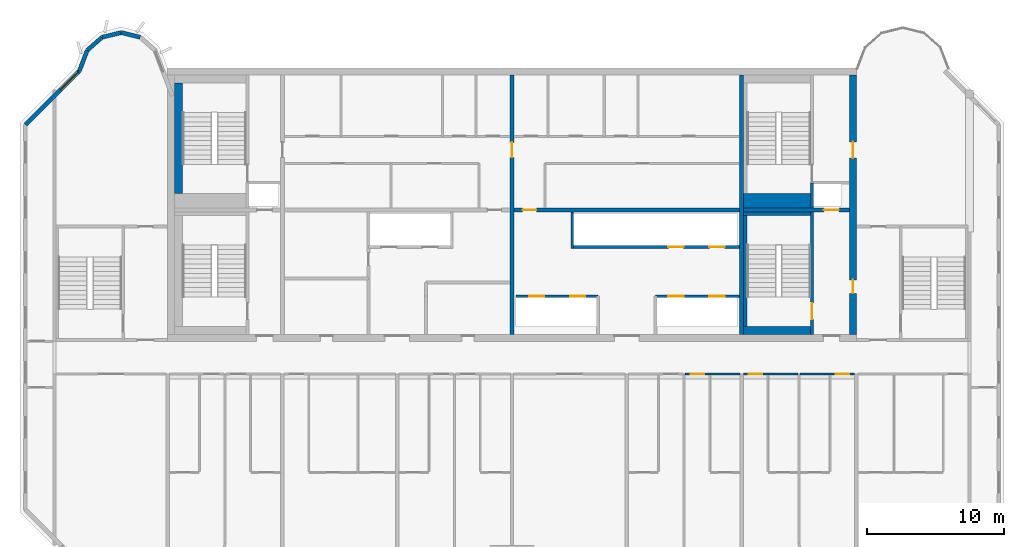
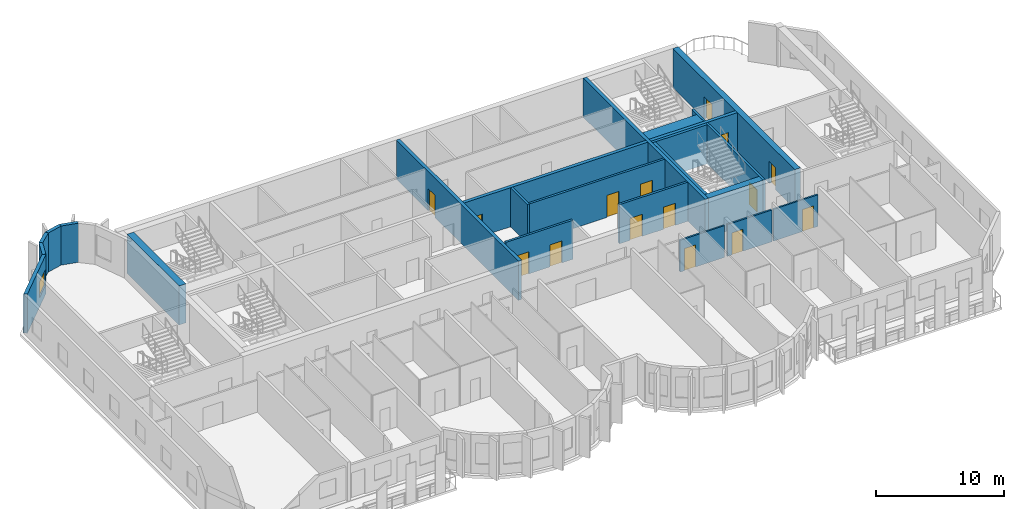
# One storey, part 6 of 11: 24 walls, 15 doors, 1 window, 16 openings.
"""IFC4 building model written with IfcOpenShell, lengths in metres."""

from ifc_helpers import new_model, si_unit, direction, frame, frame_2d, origin, place, context, subcontext, project, spatial, rectangle, extrude, source, transform, mapped, material, layer, layer_set, type_object, element, fill, save


model = new_model("IFC4")

# Units and contexts
model_context = context("Model", 3, precision=1e-05, world=origin(), true_north=direction((0.0, 1.0)))
body_context = subcontext(model_context, "Body", "Model", "MODEL_VIEW")
ifc_project = project(units=[si_unit("LENGTHUNIT", "METRE"), si_unit("AREAUNIT", "SQUARE_METRE"), si_unit("VOLUMEUNIT", "CUBIC_METRE"), si_unit("PLANEANGLEUNIT", "RADIAN"), si_unit("MASSUNIT", "GRAM", prefix="KILO")], contexts=[model_context])

# Site, building, storey
site_placement = place(None, origin())
site = spatial("IfcSite", under=ifc_project, at=site_placement, CompositionType="ELEMENT")
building_placement = place(site_placement, origin())
building = spatial("IfcBuilding", under=site, at=building_placement, Name="Vanashikhar Sky Hotel", CompositionType="ELEMENT")
storey_placement = place(building_placement, frame((0.0, 0.0, 305.699951171875)))
storey = spatial("IfcBuildingStorey", under=building, at=storey_placement, Name="L73", CompositionType="ELEMENT", Elevation=305.699951171875)

# Wall, openings, doors
ifc_material_1 = material(Name="Concrete M50", Category="concrete")
ifc_layer_1 = layer(ifc_material_1, 0.5)
ifc_layer_set_1 = layer_set([ifc_layer_1], Name="RC core shell wall 500 Concrete M50")
wall_type_1 = type_object("IfcWallType", Name="RC core shell wall 500 Concrete M50", PredefinedType="SHEAR", material=ifc_layer_set_1)
shared_shape_1 = source(origin(), body_context, "Body", "SweptSolid", [
    extrude(rectangle(XDim=19.0, YDim=0.5, at=frame_2d((9.5, 0.0))), origin(), (0.0, 0.0, 1.0), 3.719970703125),
])
wall_1_placement = place(storey_placement, frame((75.35009765625, 22.5, 0.0), z_axis=(0.0, 0.0, 1.0), x_axis=(0.0, 1.0, 0.0)))
wall_1 = element("IfcWall", 1, at=wall_1_placement, inside=storey, type_object=wall_type_1, Name="KW-L73-KE", PredefinedType="SHEAR", context=body_context, shape_type="MappedRepresentation", body=[
    mapped(shared_shape_1, transform((0.0, 0.0, 0.0), scale=1.0)),
])
shared_shape_2 = source(origin(), body_context, "Body", "SweptSolid", [
    extrude(rectangle(XDim=1.0, YDim=2.10009765625, at=frame_2d((0.5, 1.050048828125))), frame((0.0, 0.260009765625, 0.0), z_axis=(0.0, -1.0, 0.0), x_axis=(1.0, 0.0, 0.0)), (0.0, 0.0, 1.0), 0.52001953125),
])
opening_1_placement = place(wall_1_placement, frame((3.0, 0.0, 0.0)))
opening_1 = element("IfcOpeningElement", 2, at=opening_1_placement, cuts=wall_1, Name="Opening DC-5", PredefinedType="OPENING", context=body_context, shape_type="MappedRepresentation", body=[
    mapped(shared_shape_2, transform((0.0, 0.0, 0.0), scale=1.0)),
])
shared_shape_3 = source(origin(), body_context, "Body", "SweptSolid", [
    extrude(rectangle(XDim=1.199951171875, YDim=2.10009765625, at=frame_2d((0.60009765625, 1.050048828125))), frame((0.0, 0.260009765625, 0.0), z_axis=(0.0, -1.0, 0.0), x_axis=(1.0, 0.0, 0.0)), (0.0, 0.0, 1.0), 0.52001953125),
])
opening_2_placement = place(wall_1_placement, frame((12.89990234375, 0.0, 0.0)))
opening_2 = element("IfcOpeningElement", 3, at=opening_2_placement, cuts=wall_1, Name="Opening DC-4-D", PredefinedType="OPENING", context=body_context, shape_type="MappedRepresentation", body=[
    mapped(shared_shape_3, transform((0.0, 0.0, 0.0), scale=1.0)),
])
ifc_material_2 = material(Name="Steel", Category="steel")
door_type_1 = type_object("IfcDoorType", Name="Refuge door 1000 FD120", OperationType="NOTDEFINED", PredefinedType="DOOR", material=ifc_material_2)
shared_shape_4 = source(origin(), body_context, "Body", "SweptSolid", [
    extrude(rectangle(XDim=1.0, YDim=2.10009765625, at=frame_2d((0.5, 1.050048828125))), frame((0.0, 0.02490234375, 0.0), z_axis=(0.0, -1.0, 0.0), x_axis=(1.0, 0.0, 0.0)), (0.0, 0.0, 1.0), 0.050048828125),
])
door_1_placement = place(opening_1_placement, origin())
door_1 = element("IfcDoor", 4, at=door_1_placement, inside=storey, type_object=door_type_1, Name="Refuge door 1000 FD120", OperationType="SINGLE_SWING_RIGHT", OverallHeight=2.10009765625, OverallWidth=1.0, PredefinedType="DOOR", context=body_context, shape_type="MappedRepresentation", body=[
    mapped(shared_shape_4, transform((0.0, 0.0, 0.0), scale=1.0)),
])
fill(opening_1, door_1)
door_type_2 = type_object("IfcDoorType", Name="Service door 1200 FD120", OperationType="NOTDEFINED", PredefinedType="DOOR", material=ifc_material_2)
shared_shape_5 = source(origin(), body_context, "Body", "SweptSolid", [
    extrude(rectangle(XDim=1.199951171875, YDim=2.10009765625, at=frame_2d((0.60009765625, 1.050048828125))), frame((0.0, 0.02490234375, 0.0), z_axis=(0.0, -1.0, 0.0), x_axis=(1.0, 0.0, 0.0)), (0.0, 0.0, 1.0), 0.050048828125),
])
door_2_placement = place(opening_2_placement, origin())
door_2 = element("IfcDoor", 5, at=door_2_placement, inside=storey, type_object=door_type_2, Name="Service door 1200 FD120", OperationType="SINGLE_SWING_RIGHT", OverallHeight=2.10009765625, OverallWidth=1.199951171875, PredefinedType="DOOR", context=body_context, shape_type="MappedRepresentation", body=[
    mapped(shared_shape_5, transform((0.0, 0.0, 0.0), scale=1.0)),
])
fill(opening_2, door_2)

# Wall, opening, door
ifc_layer_2 = layer(ifc_material_1, 0.300048828125)
ifc_layer_set_2 = layer_set([ifc_layer_2], Name="RC core inner wall 300 Concrete M50")
wall_type_2 = type_object("IfcWallType", Name="RC core inner wall 300 Concrete M50", PredefinedType="SHEAR", material=ifc_layer_set_2)
shared_shape_6 = source(origin(), body_context, "Body", "SweptSolid", [
    extrude(rectangle(XDim=19.0, YDim=0.300048828125, at=frame_2d((9.5, 0.0))), origin(), (0.0, 0.0, 1.0), 3.719970703125),
])
wall_2_placement = place(storey_placement, frame((50.39990234375, 22.5, 0.0), z_axis=(0.0, 0.0, 1.0), x_axis=(0.0, 1.0, 0.0)))
wall_2 = element("IfcWall", 6, at=wall_2_placement, inside=storey, type_object=wall_type_2, Name="KW-L73-KX2", PredefinedType="SHEAR", context=body_context, shape_type="MappedRepresentation", body=[
    mapped(shared_shape_6, transform((0.0, 0.0, 0.0), scale=1.0)),
])
shared_shape_7 = source(origin(), body_context, "Body", "SweptSolid", [
    extrude(rectangle(XDim=1.10009765625, YDim=2.10009765625, at=frame_2d((0.550048828125, 1.050048828125))), frame((0.0, 0.16015625, 0.0), z_axis=(0.0, -1.0, 0.0), x_axis=(1.0, 0.0, 0.0)), (0.0, 0.0, 1.0), 0.320068359375),
])
opening_3_placement = place(wall_2_placement, frame((12.949951171875, 0.0, 0.0)))
opening_3 = element("IfcOpeningElement", 7, at=opening_3_placement, cuts=wall_2, Name="Opening DC-4-C", PredefinedType="OPENING", context=body_context, shape_type="MappedRepresentation", body=[
    mapped(shared_shape_7, transform((0.0, 0.0, 0.0), scale=1.0)),
])
door_type_3 = type_object("IfcDoorType", Name="Service door 1100 FD60", OperationType="NOTDEFINED", PredefinedType="DOOR", material=ifc_material_2)
shared_shape_8 = source(origin(), body_context, "Body", "SweptSolid", [
    extrude(rectangle(XDim=1.10009765625, YDim=2.10009765625, at=frame_2d((0.550048828125, 1.050048828125))), frame((0.0, 0.02490234375, 0.0), z_axis=(0.0, -1.0, 0.0), x_axis=(1.0, 0.0, 0.0)), (0.0, 0.0, 1.0), 0.050048828125),
])
door_3_placement = place(opening_3_placement, origin())
door_3 = element("IfcDoor", 8, at=door_3_placement, inside=storey, type_object=door_type_3, Name="Service door 1100 FD60", OperationType="SINGLE_SWING_RIGHT", OverallHeight=2.10009765625, OverallWidth=1.10009765625, PredefinedType="DOOR", context=body_context, shape_type="MappedRepresentation", body=[
    mapped(shared_shape_8, transform((0.0, 0.0, 0.0), scale=1.0)),
])
fill(opening_3, door_3)

# Wall
wall_3_placement = place(storey_placement, frame((67.199951171875, 22.5, 0.0), z_axis=(0.0, 0.0, 1.0), x_axis=(0.0, 1.0, 0.0)))
element("IfcWall", 9, at=wall_3_placement, inside=storey, type_object=wall_type_2, Name="KW-L73-KX3", PredefinedType="SHEAR", context=body_context, shape_type="MappedRepresentation", body=[
    mapped(shared_shape_6, transform((0.0, 0.0, 0.0), scale=1.0)),
])

# Wall, opening, door
shared_shape_9 = source(origin(), body_context, "Body", "SweptSolid", [
    extrude(rectangle(XDim=7.75, YDim=0.300048828125, at=frame_2d((3.875, 0.0))), origin(), (0.0, 0.0, 1.0), 3.719970703125),
])
wall_4_placement = place(storey_placement, frame((67.35009765625, 31.60009765625, 0.0), z_axis=(0.0, 0.0, 1.0), x_axis=(1.0, 0.0, 0.0)))
wall_4 = element("IfcWall", 10, at=wall_4_placement, inside=storey, type_object=wall_type_2, Name="KW-L73-KY4", PredefinedType="SHEAR", context=body_context, shape_type="MappedRepresentation", body=[
    mapped(shared_shape_9, transform((0.0, 0.0, 0.0), scale=1.0)),
])
opening_4_placement = place(wall_4_placement, frame((5.875, 0.0, 0.0)))
opening_4 = element("IfcOpeningElement", 11, at=opening_4_placement, cuts=wall_4, Name="Opening LD", PredefinedType="OPENING", context=body_context, shape_type="MappedRepresentation", body=[
    mapped(shared_shape_7, transform((0.0, 0.0, 0.0), scale=1.0)),
])
ifc_material_3 = material(Name="Stainless steel", Category="steel")
door_type_4 = type_object("IfcDoorType", Name="Lift landing door 1100", OperationType="NOTDEFINED", PredefinedType="DOOR", material=ifc_material_3)
door_4_placement = place(opening_4_placement, origin())
door_4 = element("IfcDoor", 12, at=door_4_placement, inside=storey, type_object=door_type_4, Name="Lift landing door 1100", OperationType="SLIDING_TO_LEFT", OverallHeight=2.10009765625, OverallWidth=1.10009765625, PredefinedType="DOOR", context=body_context, shape_type="MappedRepresentation", body=[
    mapped(shared_shape_8, transform((0.0, 0.0, 0.0), scale=1.0)),
])
fill(opening_4, door_4)

shared_shape_10 = source(origin(), body_context, "Body", "SweptSolid", [
    extrude(rectangle(XDim=16.5, YDim=0.300048828125, at=frame_2d((8.25, 0.0))), origin(), (0.0, 0.0, 1.0), 3.719970703125),
])
wall_5_placement = place(storey_placement, frame((50.550048828125, 31.60009765625, 0.0), z_axis=(0.0, 0.0, 1.0), x_axis=(1.0, 0.0, 0.0)))
wall_5 = element("IfcWall", 13, at=wall_5_placement, inside=storey, type_object=wall_type_2, Name="KW-L73-KY3", PredefinedType="SHEAR", context=body_context, shape_type="MappedRepresentation", body=[
    mapped(shared_shape_10, transform((0.0, 0.0, 0.0), scale=1.0)),
])
shared_shape_11 = source(origin(), body_context, "Body", "SweptSolid", [
    extrude(rectangle(XDim=1.0, YDim=2.10009765625, at=frame_2d((0.5, 1.050048828125))), frame((0.0, 0.16015625, 0.0), z_axis=(0.0, -1.0, 0.0), x_axis=(1.0, 0.0, 0.0)), (0.0, 0.0, 1.0), 0.320068359375),
])
opening_5_placement = place(wall_5_placement, frame((0.625, 0.0, 0.0)))
opening_5 = element("IfcOpeningElement", 14, at=opening_5_placement, cuts=wall_5, Name="Opening DC-4", PredefinedType="OPENING", context=body_context, shape_type="MappedRepresentation", body=[
    mapped(shared_shape_11, transform((0.0, 0.0, 0.0), scale=1.0)),
])
door_type_5 = type_object("IfcDoorType", Name="Service door 1000 FD60", OperationType="NOTDEFINED", PredefinedType="DOOR", material=ifc_material_2)
door_5_placement = place(opening_5_placement, origin())
door_5 = element("IfcDoor", 15, at=door_5_placement, inside=storey, type_object=door_type_5, Name="Service door 1000 FD60", OperationType="SINGLE_SWING_RIGHT", OverallHeight=2.10009765625, OverallWidth=1.0, PredefinedType="DOOR", context=body_context, shape_type="MappedRepresentation", body=[
    mapped(shared_shape_4, transform((0.0, 0.0, 0.0), scale=1.0)),
])
fill(opening_5, door_5)

# Wall, opening, window
ifc_layer_3 = layer(ifc_material_1, 0.300048828125)
ifc_layer_set_3 = layer_set([ifc_layer_3], Name="Lobe wall 300")
wall_type_3 = type_object("IfcWallType", Name="Lobe wall 300", PredefinedType="SOLIDWALL", material=ifc_layer_set_3)
shared_shape_12 = source(origin(), body_context, "Body", "SweptSolid", [
    extrude(rectangle(XDim=5.576416015625, YDim=0.300048828125, at=frame_2d((2.7880859375, 0.0))), origin(), (0.0, 0.0, 1.0), 3.719970703125),
])
wall_6_placement = place(storey_placement, frame((18.7431640625, 41.77734375, 0.0), z_axis=(0.0, 0.0, 1.0), x_axis=(-0.707106781187, -0.707106781187, 0.0)))
wall_6 = element("IfcWall", 16, at=wall_6_placement, inside=storey, type_object=wall_type_3, Name="Corner wall", PredefinedType="SOLIDWALL", context=body_context, shape_type="MappedRepresentation", body=[
    mapped(shared_shape_12, transform((0.0, 0.0, 0.0), scale=1.0)),
])
shared_shape_13 = source(origin(), body_context, "Body", "SweptSolid", [
    extrude(rectangle(XDim=1.800048828125, YDim=1.5, at=frame_2d((0.89990234375, 0.75))), frame((0.0, 0.16015625, 0.0), z_axis=(0.0, -1.0, 0.0), x_axis=(1.0, 0.0, 0.0)), (0.0, 0.0, 1.0), 0.320068359375),
])
opening_6_placement = place(wall_6_placement, frame((0.135498046875, 0.0, 0.89990234375)))
opening_6 = element("IfcOpeningElement", 17, at=opening_6_placement, cuts=wall_6, Name="Opening WN-4", PredefinedType="OPENING", context=body_context, shape_type="MappedRepresentation", body=[
    mapped(shared_shape_13, transform((0.0, 0.0, 0.0), scale=1.0)),
])
ifc_material_4 = material(Name="Glass", Category="glass")
window_type = type_object("IfcWindowType", Name="Corner window 1800 x 1500", PartitioningType="SINGLE_PANEL", PredefinedType="WINDOW", material=ifc_material_4)
shared_shape_14 = source(origin(), body_context, "Body", "SweptSolid", [
    extrude(rectangle(XDim=1.800048828125, YDim=1.5, at=frame_2d((0.89990234375, 0.75))), frame((0.0, 0.030029296875, 0.0), z_axis=(0.0, -1.0, 0.0), x_axis=(1.0, 0.0, 0.0)), (0.0, 0.0, 1.0), 0.06005859375),
])
window_placement = place(opening_6_placement, origin())
window = element("IfcWindow", 18, at=window_placement, inside=storey, type_object=window_type, Name="Window WN-4", OverallHeight=1.5, OverallWidth=1.800048828125, PartitioningType="SINGLE_PANEL", PredefinedType="WINDOW", context=body_context, shape_type="MappedRepresentation", body=[
    mapped(shared_shape_14, transform((0.0, 0.0, 0.0), scale=1.0)),
])
fill(opening_6, window)

# Walls
shared_shape_15 = source(origin(), body_context, "Body", "SweptSolid", [
    extrude(rectangle(XDim=1.6220703125, YDim=0.300048828125, at=frame_2d((0.81103515625, 0.0))), origin(), (0.0, 0.0, 1.0), 3.719970703125),
])
wall_7_placement = place(storey_placement, frame((19.323486328125, 43.2919921875, 0.0), z_axis=(0.0, 0.0, 1.0), x_axis=(-0.357778527068, -0.933806471154, 0.0)))
element("IfcWall", 19, at=wall_7_placement, inside=storey, type_object=wall_type_3, Name="Lobe wall", PredefinedType="SOLIDWALL", context=body_context, shape_type="MappedRepresentation", body=[
    mapped(shared_shape_15, transform((0.0, 0.0, 0.0), scale=1.0)),
])
shared_shape_16 = source(origin(), body_context, "Body", "SweptSolid", [
    extrude(rectangle(XDim=1.43994140625, YDim=0.300048828125, at=frame_2d((0.719970703125, 0.0))), origin(), (0.0, 0.0, 1.0), 3.719970703125),
])
wall_8_placement = place(storey_placement, frame((20.40283203125, 44.2451171875, 0.0), z_axis=(0.0, 0.0, 1.0), x_axis=(-0.74957555648, -0.661918790432, 0.0)))
element("IfcWall", 20, at=wall_8_placement, inside=storey, type_object=wall_type_3, Name="Lobe wall", PredefinedType="SOLIDWALL", context=body_context, shape_type="MappedRepresentation", body=[
    mapped(shared_shape_16, transform((0.0, 0.0, 0.0), scale=1.0)),
])
shared_shape_17 = source(origin(), body_context, "Body", "SweptSolid", [
    extrude(rectangle(XDim=1.438720703125, YDim=0.300048828125, at=frame_2d((0.71923828125, 0.0))), origin(), (0.0, 0.0, 1.0), 3.719970703125),
])
wall_9_placement = place(storey_placement, frame((21.800048828125, 44.588134765625, 0.0), z_axis=(0.0, 0.0, 1.0), x_axis=(-0.971161932466, -0.238420848351, 0.0)))
element("IfcWall", 21, at=wall_9_placement, inside=storey, type_object=wall_type_3, Name="Lobe wall", PredefinedType="SOLIDWALL", context=body_context, shape_type="MappedRepresentation", body=[
    mapped(shared_shape_17, transform((0.0, 0.0, 0.0), scale=1.0)),
])
shared_shape_18 = source(origin(), body_context, "Body", "SweptSolid", [
    extrude(rectangle(XDim=1.4384765625, YDim=0.300048828125, at=frame_2d((0.71923828125, 0.0))), origin(), (0.0, 0.0, 1.0), 3.719970703125),
])
wall_10_placement = place(storey_placement, frame((23.197021484375, 44.2451171875, 0.0), z_axis=(0.0, 0.0, 1.0), x_axis=(-0.971152283879, 0.238460146601, 0.0)))
element("IfcWall", 22, at=wall_10_placement, inside=storey, type_object=wall_type_3, Name="Lobe wall", PredefinedType="SOLIDWALL", context=body_context, shape_type="MappedRepresentation", body=[
    mapped(shared_shape_18, transform((0.0, 0.0, 0.0), scale=1.0)),
])

# Wall, openings, doors
ifc_material_5 = material(Name="Concrete M40", Category="concrete")
ifc_layer_4 = layer(ifc_material_5, 0.199951171875)
ifc_layer_set_4 = layer_set([ifc_layer_4], Name="Shaft wall 200")
wall_type_4 = type_object("IfcWallType", Name="Shaft wall 200", PredefinedType="SOLIDWALL", material=ifc_layer_set_4)
shared_shape_19 = source(origin(), body_context, "Body", "SweptSolid", [
    extrude(rectangle(XDim=6.0, YDim=0.199951171875, at=frame_2d((3.0, 0.0))), origin(), (0.0, 0.0, 1.0), 3.719970703125),
])
wall_11_placement = place(storey_placement, frame((56.699951171875, 25.300048828125, 0.0), z_axis=(0.0, 0.0, 1.0), x_axis=(-1.0, 0.0, 0.0)))
wall_11 = element("IfcWall", 23, at=wall_11_placement, inside=storey, type_object=wall_type_4, Name="Shaft wall 200", PredefinedType="SOLIDWALL", context=body_context, shape_type="MappedRepresentation", body=[
    mapped(shared_shape_19, transform((0.0, 0.0, 0.0), scale=1.0)),
])
shared_shape_20 = source(origin(), body_context, "Body", "SweptSolid", [
    extrude(rectangle(XDim=1.10009765625, YDim=2.10009765625, at=frame_2d((0.550048828125, 1.050048828125))), frame((0.0, 0.10986328125, 0.0), z_axis=(0.0, -1.0, 0.0), x_axis=(1.0, 0.0, 0.0)), (0.0, 0.0, 1.0), 0.219970703125),
])
opening_7_placement = place(wall_11_placement, frame((0.949951171875, 0.0, 0.0)))
opening_7 = element("IfcOpeningElement", 24, at=opening_7_placement, cuts=wall_11, Name="Opening LD", PredefinedType="OPENING", context=body_context, shape_type="MappedRepresentation", body=[
    mapped(shared_shape_20, transform((0.0, 0.0, 0.0), scale=1.0)),
])
opening_8_placement = place(wall_11_placement, frame((3.949951171875, 0.0, 0.0)))
opening_8 = element("IfcOpeningElement", 25, at=opening_8_placement, cuts=wall_11, Name="Opening LD", PredefinedType="OPENING", context=body_context, shape_type="MappedRepresentation", body=[
    mapped(shared_shape_20, transform((0.0, 0.0, 0.0), scale=1.0)),
])
door_6_placement = place(opening_7_placement, origin())
door_6 = element("IfcDoor", 26, at=door_6_placement, inside=storey, type_object=door_type_4, Name="Lift landing door 1100", OperationType="SLIDING_TO_RIGHT", OverallHeight=2.10009765625, OverallWidth=1.10009765625, PredefinedType="DOOR", context=body_context, shape_type="MappedRepresentation", body=[
    mapped(shared_shape_8, transform((0.0, 0.0, 0.0), scale=1.0)),
])
fill(opening_7, door_6)
door_7_placement = place(opening_8_placement, origin())
door_7 = element("IfcDoor", 27, at=door_7_placement, inside=storey, type_object=door_type_4, Name="Lift landing door 1100", OperationType="SLIDING_TO_LEFT", OverallHeight=2.10009765625, OverallWidth=1.10009765625, PredefinedType="DOOR", context=body_context, shape_type="MappedRepresentation", body=[
    mapped(shared_shape_8, transform((0.0, 0.0, 0.0), scale=1.0)),
])
fill(opening_8, door_7)

# Wall
shared_shape_21 = source(origin(), body_context, "Body", "SweptSolid", [
    extrude(rectangle(XDim=2.64990234375, YDim=0.199951171875, at=frame_2d((1.324951171875, 0.0))), origin(), (0.0, 0.0, 1.0), 3.719970703125),
])
wall_12_placement = place(storey_placement, frame((54.800048828125, 28.800048828125, 0.0), z_axis=(0.0, 0.0, 1.0), x_axis=(0.0, 1.0, 0.0)))
element("IfcWall", 28, at=wall_12_placement, inside=storey, type_object=wall_type_4, Name="Shaft wall 200", PredefinedType="SOLIDWALL", context=body_context, shape_type="MappedRepresentation", body=[
    mapped(shared_shape_21, transform((0.0, 0.0, 0.0), scale=1.0)),
])

# Wall, openings, doors
shared_shape_22 = source(origin(), body_context, "Body", "SweptSolid", [
    extrude(rectangle(XDim=6.150146484375, YDim=0.199951171875, at=frame_2d((3.0751953125, 0.0))), origin(), (0.0, 0.0, 1.0), 3.719970703125),
])
wall_13_placement = place(storey_placement, frame((67.050048828125, 25.300048828125, 0.0), z_axis=(0.0, 0.0, 1.0), x_axis=(-1.0, 0.0, 0.0)))
wall_13 = element("IfcWall", 29, at=wall_13_placement, inside=storey, type_object=wall_type_4, Name="Shaft wall 200", PredefinedType="SOLIDWALL", context=body_context, shape_type="MappedRepresentation", body=[
    mapped(shared_shape_22, transform((0.0, 0.0, 0.0), scale=1.0)),
])
opening_9_placement = place(wall_13_placement, frame((1.10009765625, 0.0, 0.0)))
opening_9 = element("IfcOpeningElement", 30, at=opening_9_placement, cuts=wall_13, Name="Opening LD", PredefinedType="OPENING", context=body_context, shape_type="MappedRepresentation", body=[
    mapped(shared_shape_20, transform((0.0, 0.0, 0.0), scale=1.0)),
])
opening_10_placement = place(wall_13_placement, frame((4.10009765625, 0.0, 0.0)))
opening_10 = element("IfcOpeningElement", 31, at=opening_10_placement, cuts=wall_13, Name="Opening LD", PredefinedType="OPENING", context=body_context, shape_type="MappedRepresentation", body=[
    mapped(shared_shape_20, transform((0.0, 0.0, 0.0), scale=1.0)),
])
door_8_placement = place(opening_9_placement, origin())
door_8 = element("IfcDoor", 32, at=door_8_placement, inside=storey, type_object=door_type_4, Name="Lift landing door 1100", OperationType="SLIDING_TO_RIGHT", OverallHeight=2.10009765625, OverallWidth=1.10009765625, PredefinedType="DOOR", context=body_context, shape_type="MappedRepresentation", body=[
    mapped(shared_shape_8, transform((0.0, 0.0, 0.0), scale=1.0)),
])
fill(opening_9, door_8)
door_9_placement = place(opening_10_placement, origin())
door_9 = element("IfcDoor", 33, at=door_9_placement, inside=storey, type_object=door_type_4, Name="Lift landing door 1100", OperationType="SLIDING_TO_LEFT", OverallHeight=2.10009765625, OverallWidth=1.10009765625, PredefinedType="DOOR", context=body_context, shape_type="MappedRepresentation", body=[
    mapped(shared_shape_8, transform((0.0, 0.0, 0.0), scale=1.0)),
])
fill(opening_10, door_9)

shared_shape_23 = source(origin(), body_context, "Body", "SweptSolid", [
    extrude(rectangle(XDim=12.150146484375, YDim=0.199951171875, at=frame_2d((6.0751953125, 0.0))), origin(), (0.0, 0.0, 1.0), 3.719970703125),
])
wall_14_placement = place(storey_placement, frame((67.050048828125, 28.89990234375, 0.0), z_axis=(0.0, 0.0, 1.0), x_axis=(-1.0, 0.0, 0.0)))
wall_14 = element("IfcWall", 34, at=wall_14_placement, inside=storey, type_object=wall_type_4, Name="Shaft wall 200", PredefinedType="SOLIDWALL", context=body_context, shape_type="MappedRepresentation", body=[
    mapped(shared_shape_23, transform((0.0, 0.0, 0.0), scale=1.0)),
])
opening_11_placement = place(wall_14_placement, frame((1.10009765625, 0.0, 0.0)))
opening_11 = element("IfcOpeningElement", 35, at=opening_11_placement, cuts=wall_14, Name="Opening LD", PredefinedType="OPENING", context=body_context, shape_type="MappedRepresentation", body=[
    mapped(shared_shape_20, transform((0.0, 0.0, 0.0), scale=1.0)),
])
opening_12_placement = place(wall_14_placement, frame((4.10009765625, 0.0, 0.0)))
opening_12 = element("IfcOpeningElement", 36, at=opening_12_placement, cuts=wall_14, Name="Opening LD", PredefinedType="OPENING", context=body_context, shape_type="MappedRepresentation", body=[
    mapped(shared_shape_20, transform((0.0, 0.0, 0.0), scale=1.0)),
])
door_10_placement = place(opening_11_placement, origin())
door_10 = element("IfcDoor", 37, at=door_10_placement, inside=storey, type_object=door_type_4, Name="Lift landing door 1100", OperationType="SLIDING_TO_RIGHT", OverallHeight=2.10009765625, OverallWidth=1.10009765625, PredefinedType="DOOR", context=body_context, shape_type="MappedRepresentation", body=[
    mapped(shared_shape_8, transform((0.0, 0.0, 0.0), scale=1.0)),
])
fill(opening_11, door_10)
door_11_placement = place(opening_12_placement, origin())
door_11 = element("IfcDoor", 38, at=door_11_placement, inside=storey, type_object=door_type_4, Name="Lift landing door 1100", OperationType="SLIDING_TO_LEFT", OverallHeight=2.10009765625, OverallWidth=1.10009765625, PredefinedType="DOOR", context=body_context, shape_type="MappedRepresentation", body=[
    mapped(shared_shape_8, transform((0.0, 0.0, 0.0), scale=1.0)),
])
fill(opening_12, door_11)

# Wall, opening, door
ifc_layer_5 = layer(ifc_material_1, 0.199951171875)
ifc_layer_set_5 = layer_set([ifc_layer_5], Name="Stair wall 200")
wall_type_5 = type_object("IfcWallType", Name="Stair wall 200", PredefinedType="SOLIDWALL", material=ifc_layer_set_5)
shared_shape_24 = source(origin(), body_context, "Body", "SweptSolid", [
    extrude(rectangle(XDim=8.949951171875, YDim=0.199951171875, at=frame_2d((4.47509765625, 0.0))), origin(), (0.0, 0.0, 1.0), 3.719970703125),
])
wall_15_placement = place(storey_placement, frame((72.35009765625, 22.5, 0.0), z_axis=(0.0, 0.0, 1.0), x_axis=(0.0, 1.0, 0.0)))
wall_15 = element("IfcWall", 39, at=wall_15_placement, inside=storey, type_object=wall_type_5, Name="Stair wall 200", PredefinedType="SOLIDWALL", context=body_context, shape_type="MappedRepresentation", body=[
    mapped(shared_shape_24, transform((0.0, 0.0, 0.0), scale=1.0)),
])
shared_shape_25 = source(origin(), body_context, "Body", "SweptSolid", [
    extrude(rectangle(XDim=1.199951171875, YDim=2.10009765625, at=frame_2d((0.60009765625, 1.050048828125))), frame((0.0, 0.10986328125, 0.0), z_axis=(0.0, -1.0, 0.0), x_axis=(1.0, 0.0, 0.0)), (0.0, 0.0, 1.0), 0.219970703125),
])
opening_13_placement = place(wall_15_placement, frame((1.10009765625, 0.0, 0.0)))
opening_13 = element("IfcOpeningElement", 40, at=opening_13_placement, cuts=wall_15, Name="Opening DC-1", PredefinedType="OPENING", context=body_context, shape_type="MappedRepresentation", body=[
    mapped(shared_shape_25, transform((0.0, 0.0, 0.0), scale=1.0)),
])
door_type_6 = type_object("IfcDoorType", Name="Stair door 1200 FD120", OperationType="NOTDEFINED", PredefinedType="DOOR", material=ifc_material_2)
door_12_placement = place(opening_13_placement, origin())
door_12 = element("IfcDoor", 41, at=door_12_placement, inside=storey, type_object=door_type_6, Name="Stair door 1200 FD120", OperationType="SINGLE_SWING_LEFT", OverallHeight=2.10009765625, OverallWidth=1.199951171875, PredefinedType="DOOR", context=body_context, shape_type="MappedRepresentation", body=[
    mapped(shared_shape_5, transform((0.0, 0.0, 0.0), scale=1.0)),
])
fill(opening_13, door_12)

# Walls
shared_shape_26 = source(origin(), body_context, "Body", "SweptSolid", [
    extrude(rectangle(XDim=1.85009765625, YDim=0.199951171875, at=frame_2d((0.925048828125, 0.0))), origin(), (0.0, 0.0, 1.0), 3.719970703125),
])
wall_16_placement = place(storey_placement, frame((72.35009765625, 31.75, 0.0), z_axis=(0.0, 0.0, 1.0), x_axis=(0.0, 1.0, 0.0)))
element("IfcWall", 42, at=wall_16_placement, inside=storey, type_object=wall_type_4, Name="Shaft wall 200", PredefinedType="SOLIDWALL", context=body_context, shape_type="MappedRepresentation", body=[
    mapped(shared_shape_26, transform((0.0, 0.0, 0.0), scale=1.0)),
])
ifc_layer_6 = layer(ifc_material_1, 0.60009765625)
ifc_layer_set_6 = layer_set([ifc_layer_6], Name="Stair infill wall 600")
wall_type_6 = type_object("IfcWallType", Name="Stair infill wall 600", PredefinedType="SOLIDWALL", material=ifc_layer_set_6)
shared_shape_27 = source(origin(), body_context, "Body", "SweptSolid", [
    extrude(rectangle(XDim=8.099853515625, YDim=0.60009765625, at=frame_2d((4.0498046875, 0.0))), origin(), (0.0, 0.0, 1.0), 3.719970703125),
])
wall_17_placement = place(storey_placement, frame((26.0, 32.800048828125, 0.0), z_axis=(0.0, 0.0, 1.0), x_axis=(0.0, 1.0, 0.0)))
element("IfcWall", 43, at=wall_17_placement, inside=storey, type_object=wall_type_6, Name="Stair infill wall 600", PredefinedType="SOLIDWALL", context=body_context, shape_type="MappedRepresentation", body=[
    mapped(shared_shape_27, transform((0.0, 0.0, 0.0), scale=1.0)),
])
shared_shape_28 = source(origin(), body_context, "Body", "SweptSolid", [
    extrude(rectangle(XDim=4.89990234375, YDim=0.60009765625, at=frame_2d((2.449951171875, 0.0))), origin(), (0.0, 0.0, 1.0), 3.719970703125),
])
wall_18_placement = place(storey_placement, frame((67.35009765625, 22.800048828125, 0.0), z_axis=(0.0, 0.0, 1.0), x_axis=(1.0, 0.0, 0.0)))
element("IfcWall", 44, at=wall_18_placement, inside=storey, type_object=wall_type_6, Name="Stair infill wall 600", PredefinedType="SOLIDWALL", context=body_context, shape_type="MappedRepresentation", body=[
    mapped(shared_shape_28, transform((0.0, 0.0, 0.0), scale=1.0)),
])
ifc_layer_7 = layer(ifc_material_1, 0.25)
ifc_layer_set_7 = layer_set([ifc_layer_7], Name="Stair infill wall 250")
wall_type_7 = type_object("IfcWallType", Name="Stair infill wall 250", PredefinedType="SOLIDWALL", material=ifc_layer_set_7)
shared_shape_29 = source(origin(), body_context, "Body", "SweptSolid", [
    extrude(rectangle(XDim=4.89990234375, YDim=0.25, at=frame_2d((2.449951171875, 0.0))), origin(), (0.0, 0.0, 1.0), 3.719970703125),
])
wall_19_placement = place(storey_placement, frame((67.35009765625, 31.324951171875, 0.0), z_axis=(0.0, 0.0, 1.0), x_axis=(1.0, 0.0, 0.0)))
element("IfcWall", 45, at=wall_19_placement, inside=storey, type_object=wall_type_7, Name="Stair infill wall 250", PredefinedType="SOLIDWALL", context=body_context, shape_type="MappedRepresentation", body=[
    mapped(shared_shape_29, transform((0.0, 0.0, 0.0), scale=1.0)),
])
shared_shape_30 = source(origin(), body_context, "Body", "SweptSolid", [
    extrude(rectangle(XDim=8.099853515625, YDim=0.25, at=frame_2d((4.0498046875, 0.0))), origin(), (0.0, 0.0, 1.0), 3.719970703125),
])
wall_20_placement = place(storey_placement, frame((67.47509765625, 23.10009765625, 0.0), z_axis=(0.0, 0.0, 1.0), x_axis=(0.0, 1.0, 0.0)))
element("IfcWall", 46, at=wall_20_placement, inside=storey, type_object=wall_type_7, Name="Stair infill wall 250", PredefinedType="SOLIDWALL", context=body_context, shape_type="MappedRepresentation", body=[
    mapped(shared_shape_30, transform((0.0, 0.0, 0.0), scale=1.0)),
])
ifc_layer_8 = layer(ifc_material_1, 1.050048828125)
ifc_layer_set_8 = layer_set([ifc_layer_8], Name="Stair infill wall 1050")
wall_type_8 = type_object("IfcWallType", Name="Stair infill wall 1050", PredefinedType="SOLIDWALL", material=ifc_layer_set_8)
shared_shape_31 = source(origin(), body_context, "Body", "SweptSolid", [
    extrude(rectangle(XDim=4.89990234375, YDim=1.050048828125, at=frame_2d((2.449951171875, 0.0))), origin(), (0.0, 0.0, 1.0), 3.719970703125),
])
wall_21_placement = place(storey_placement, frame((67.35009765625, 32.27490234375, 0.0), z_axis=(0.0, 0.0, 1.0), x_axis=(1.0, 0.0, 0.0)))
element("IfcWall", 47, at=wall_21_placement, inside=storey, type_object=wall_type_8, Name="Stair infill wall 1050", PredefinedType="SOLIDWALL", context=body_context, shape_type="MappedRepresentation", body=[
    mapped(shared_shape_31, transform((0.0, 0.0, 0.0), scale=1.0)),
])

# Wall, opening, door
ifc_material_6 = material(Name="Gypsum plasterboard partition")
ifc_layer_9 = layer(ifc_material_6, 0.14990234375)
ifc_layer_set_9 = layer_set([ifc_layer_9], Name="Corridor and demising partition 150")
wall_type_9 = type_object("IfcWallType", Name="Corridor and demising partition 150", PredefinedType="PARTITIONING", material=ifc_layer_set_9)
shared_shape_32 = source(origin(), body_context, "Body", "SweptSolid", [
    extrude(rectangle(XDim=4.0, YDim=0.14990234375, at=frame_2d((2.0, 0.0))), origin(), (0.0, 0.0, 1.0), 3.02001953125),
])
wall_22_placement = place(storey_placement, frame((63.074951171875, 19.60009765625, 0.0), z_axis=(0.0, 0.0, 1.0), x_axis=(1.0, 0.0, 0.0)))
wall_22 = element("IfcWall", 48, at=wall_22_placement, inside=storey, type_object=wall_type_9, Name="W-L73-PW027", PredefinedType="PARTITIONING", context=body_context, shape_type="MappedRepresentation", body=[
    mapped(shared_shape_32, transform((0.0, 0.0, 0.0), scale=1.0)),
])
shared_shape_33 = source(origin(), body_context, "Body", "SweptSolid", [
    extrude(rectangle(XDim=1.0, YDim=2.10009765625, at=frame_2d((0.5, 1.050048828125))), frame((0.0, 0.0849609375, 0.0), z_axis=(0.0, -1.0, 0.0), x_axis=(1.0, 0.0, 0.0)), (0.0, 0.0, 1.0), 0.169921875),
])
opening_14_placement = place(wall_22_placement, frame((0.39990234375, 0.0, 0.0)))
opening_14 = element("IfcOpeningElement", 49, at=opening_14_placement, cuts=wall_22, Name="Opening D-01", PredefinedType="OPENING", context=body_context, shape_type="MappedRepresentation", body=[
    mapped(shared_shape_33, transform((0.0, 0.0, 0.0), scale=1.0)),
])
ifc_material_7 = material(Name="Timber fire door", Category="wood")
door_type_7 = type_object("IfcDoorType", Name="Guest entry door 1000 FD30S", OperationType="NOTDEFINED", PredefinedType="DOOR", material=ifc_material_7)
door_13_placement = place(opening_14_placement, origin())
door_13 = element("IfcDoor", 50, at=door_13_placement, inside=storey, type_object=door_type_7, Name="D-L73-017", OperationType="SINGLE_SWING_LEFT", OverallHeight=2.10009765625, OverallWidth=1.0, PredefinedType="DOOR", context=body_context, shape_type="MappedRepresentation", body=[
    mapped(shared_shape_4, transform((0.0, 0.0, 0.0), scale=1.0)),
])
fill(opening_14, door_13)

wall_23_placement = place(storey_placement, frame((67.324951171875, 19.60009765625, 0.0), z_axis=(0.0, 0.0, 1.0), x_axis=(1.0, 0.0, 0.0)))
wall_23 = element("IfcWall", 51, at=wall_23_placement, inside=storey, type_object=wall_type_9, Name="W-L73-PW031", PredefinedType="PARTITIONING", context=body_context, shape_type="MappedRepresentation", body=[
    mapped(shared_shape_32, transform((0.0, 0.0, 0.0), scale=1.0)),
])
opening_15_placement = place(wall_23_placement, frame((0.39990234375, 0.0, 0.0)))
opening_15 = element("IfcOpeningElement", 52, at=opening_15_placement, cuts=wall_23, Name="Opening D-01", PredefinedType="OPENING", context=body_context, shape_type="MappedRepresentation", body=[
    mapped(shared_shape_33, transform((0.0, 0.0, 0.0), scale=1.0)),
])
door_14_placement = place(opening_15_placement, origin())
door_14 = element("IfcDoor", 53, at=door_14_placement, inside=storey, type_object=door_type_7, Name="D-L73-019", OperationType="SINGLE_SWING_LEFT", OverallHeight=2.10009765625, OverallWidth=1.0, PredefinedType="DOOR", context=body_context, shape_type="MappedRepresentation", body=[
    mapped(shared_shape_4, transform((0.0, 0.0, 0.0), scale=1.0)),
])
fill(opening_15, door_14)

wall_24_placement = place(storey_placement, frame((71.47509765625, 19.60009765625, 0.0), z_axis=(0.0, 0.0, 1.0), x_axis=(1.0, 0.0, 0.0)))
wall_24 = element("IfcWall", 54, at=wall_24_placement, inside=storey, type_object=wall_type_9, Name="W-L73-PW034", PredefinedType="PARTITIONING", context=body_context, shape_type="MappedRepresentation", body=[
    mapped(shared_shape_32, transform((0.0, 0.0, 0.0), scale=1.0)),
])
opening_16_placement = place(wall_24_placement, frame((2.60009765625, 0.0, 0.0)))
opening_16 = element("IfcOpeningElement", 55, at=opening_16_placement, cuts=wall_24, Name="Opening D-01", PredefinedType="OPENING", context=body_context, shape_type="MappedRepresentation", body=[
    mapped(shared_shape_33, transform((0.0, 0.0, 0.0), scale=1.0)),
])
door_15_placement = place(opening_16_placement, origin())
door_15 = element("IfcDoor", 56, at=door_15_placement, inside=storey, type_object=door_type_7, Name="D-L73-021", OperationType="SINGLE_SWING_RIGHT", OverallHeight=2.10009765625, OverallWidth=1.0, PredefinedType="DOOR", context=body_context, shape_type="MappedRepresentation", body=[
    mapped(shared_shape_4, transform((0.0, 0.0, 0.0), scale=1.0)),
])
fill(opening_16, door_15)

save(model, "model.ifc")
